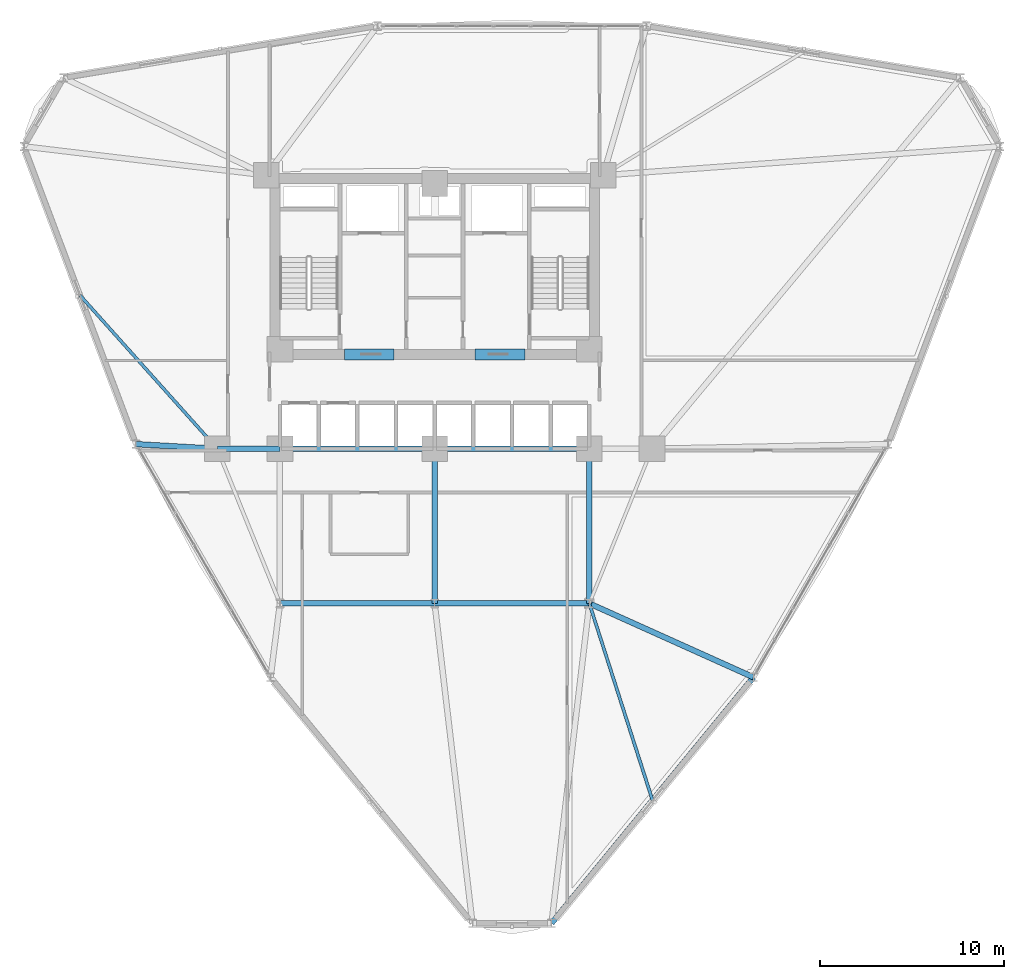
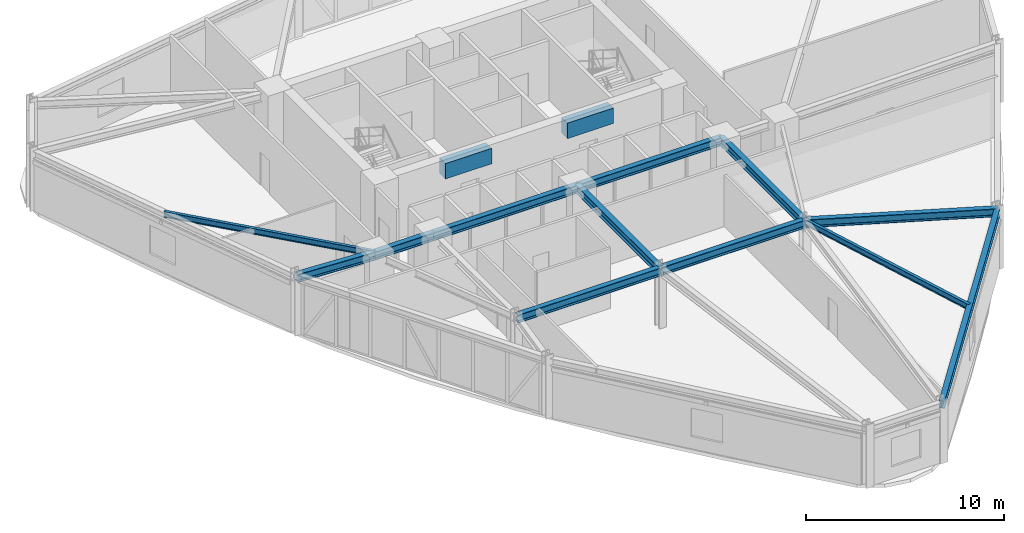
# One storey, part 5 of 20: 14 beams.
"""IFC4 building model written with IfcOpenShell, lengths in metres."""

from ifc_helpers import new_model, si_unit, derived_unit, direction, frame, origin, origin_2d, place, context, subcontext, project, spatial, rectangle, i_section, extrude, source, transform, mapped, material, material_profile, profile_set, type_object, element, save


model = new_model("IFC4")

# Units and contexts
model_context = context("Model", 3, precision=1e-05, world=origin(), true_north=direction((0.0, 1.0)))
body_context = subcontext(model_context, "Body", "Model", "MODEL_VIEW")
ifc_project = project(units=[si_unit("LENGTHUNIT", "METRE"), si_unit("AREAUNIT", "SQUARE_METRE"), si_unit("VOLUMEUNIT", "CUBIC_METRE"), si_unit("PLANEANGLEUNIT", "RADIAN"), si_unit("MASSUNIT", "GRAM", prefix="KILO"), derived_unit("THERMALTRANSMITTANCEUNIT", [(si_unit("POWERUNIT", "WATT"), 1), (si_unit("LENGTHUNIT", "METRE"), -2), (si_unit("THERMODYNAMICTEMPERATUREUNIT", "KELVIN"), -1)])], contexts=[model_context])

# Site, building, storey
site_placement = place(None, origin())
site = spatial("IfcSite", under=ifc_project, at=site_placement, CompositionType="ELEMENT")
building_placement = place(site_placement, origin())
building = spatial("IfcBuilding", under=site, at=building_placement, Name="Korsvarv Bourse and Concert Hall", CompositionType="ELEMENT")
storey_placement = place(building_placement, frame((0.0, 0.0, 87.300048828125)))
storey = spatial("IfcBuildingStorey", under=building, at=storey_placement, Name="L21", CompositionType="ELEMENT", Elevation=87.300048828125)

# Beams
ifc_material_1 = material(Name="Concrete C55/67", Category="concrete")
ifc_material_profile_1 = material_profile(ifc_material_1, rectangle(XDim=0.60009765625, YDim=0.949951171875, at=origin_2d()), Name="RC-BM 600x950")
ifc_profile_set_1 = profile_set([ifc_material_profile_1], Name="Concrete C55/67")
beam_type_1 = type_object("IfcBeamType", Name="BM-CPL", PredefinedType="LINTEL", material=ifc_profile_set_1)
shared_shape_1 = source(origin(), body_context, "Body", "SweptSolid", [
    extrude(rectangle(XDim=0.60009765625, YDim=0.949951171875, at=origin_2d()), origin(), (0.0, 0.0, 1.0), 2.699951171875),
])
for number, where, z_axis, x_axis, name in (
    (1, (31.10009765625, 37.52490234375, 3.204833984375), (1.0, 0.0, 0.0), (0.0, 1.0, 0.0), "L21 Core Coupling Beam West"),
    (2, (38.199951171875, 37.52490234375, 3.204833984375), (1.0, 0.0, 0.0), (0.0, 1.0, 0.0), "L21 Core Coupling Beam East"),
):
    element("IfcBeam", number, at=place(storey_placement, frame(where, z_axis=z_axis, x_axis=x_axis)), inside=storey, type_object=beam_type_1, Name=name, PredefinedType="LINTEL", context=body_context, shape_type="MappedRepresentation", body=[
        mapped(shared_shape_1, transform((0.0, 0.0, 0.0), scale=1.0)),
    ])
ifc_material_2 = material(Name="Steel S355", Category="steel")
ifc_material_profile_2 = material_profile(ifc_material_2, i_section(OverallWidth=0.300048828125, OverallDepth=0.5, WebThickness=0.014404296875, FlangeThickness=0.028076171875, FilletRadius=0.02392578125, at=origin_2d()), Name="HEB 500")
ifc_profile_set_2 = profile_set([ifc_material_profile_2], Name="Steel S355")
beam_type_2 = type_object("IfcBeamType", Name="BM-HEB500", PredefinedType="BEAM", material=ifc_profile_set_2)
shared_shape_2 = source(origin(), body_context, "Body", "SweptSolid", [
    extrude(i_section(OverallWidth=0.300048828125, OverallDepth=0.5, WebThickness=0.014404296875, FlangeThickness=0.028076171875, FilletRadius=0.02392578125, at=origin_2d()), origin(), (0.0, 0.0, 1.0), 3.400146484375),
])
beam_1_placement = place(storey_placement, frame((24.199951171875, 32.39990234375, 3.429931640625), z_axis=(1.0, 0.0, 0.0), x_axis=(0.0, 1.0, 0.0)))
element("IfcBeam", 3, at=beam_1_placement, inside=storey, type_object=beam_type_2, Name="L21 beam B-07", PredefinedType="BEAM", context=body_context, shape_type="MappedRepresentation", body=[
    mapped(shared_shape_2, transform((0.0, 0.0, 0.0), scale=1.0)),
])
shared_shape_3 = source(origin(), body_context, "Body", "SweptSolid", [
    extrude(i_section(OverallWidth=0.300048828125, OverallDepth=0.5, WebThickness=0.014404296875, FlangeThickness=0.028076171875, FilletRadius=0.02392578125, at=origin_2d()), origin(), (0.0, 0.0, 1.0), 8.39990234375),
])
for number, where, z_axis, x_axis, name in (
    (4, (27.60009765625, 32.39990234375, 3.429931640625), (1.0, 0.0, 0.0), (0.0, 1.0, 0.0), "L21 beam B-07"),
    (5, (36.0, 32.39990234375, 3.429931640625), (1.0, 0.0, 0.0), (0.0, 1.0, 0.0), "L21 beam B-07"),
    (6, (27.60009765625, 24.0, 3.429931640625), (1.0, 0.0, 0.0), (0.0, 1.0, 0.0), "L21 beam B-07"),
    (7, (36.0, 24.0, 3.429931640625), (1.0, 0.0, 0.0), (0.0, 1.0, 0.0), "L21 beam B-07"),
    (8, (36.0, 24.0, 3.429931640625), (0.0, 1.0, 0.0), (-1.0, 0.0, 0.0), "L21 beam B-07"),
    (9, (44.39990234375, 24.0, 3.429931640625), (0.0, 1.0, 0.0), (-1.0, 0.0, 0.0), "L21 beam B-07"),
):
    element("IfcBeam", number, at=place(storey_placement, frame(where, z_axis=z_axis, x_axis=x_axis)), inside=storey, type_object=beam_type_2, Name=name, PredefinedType="BEAM", context=body_context, shape_type="MappedRepresentation", body=[
        mapped(shared_shape_3, transform((0.0, 0.0, 0.0), scale=1.0)),
    ])
ifc_material_profile_3 = material_profile(ifc_material_2, i_section(OverallWidth=0.300048828125, OverallDepth=0.449951171875, WebThickness=0.013916015625, FlangeThickness=0.02587890625, FilletRadius=0.02099609375, at=origin_2d()), Name="HEB 450")
ifc_profile_set_3 = profile_set([ifc_material_profile_3], Name="Steel S355")
beam_type_3 = type_object("IfcBeamType", Name="BM-HEB450", PredefinedType="SPANDREL", material=ifc_profile_set_3)
shared_shape_4 = source(origin(), body_context, "Body", "SweptSolid", [
    extrude(i_section(OverallWidth=0.300048828125, OverallDepth=0.449951171875, WebThickness=0.013916015625, FlangeThickness=0.02587890625, FilletRadius=0.02099609375, at=origin_2d()), origin(), (0.0, 0.0, 1.0), 17.27587890625),
])
beam_2_placement = place(storey_placement, frame((42.3505859375, 6.63623046875, 3.454833984375), z_axis=(0.634361438059, 0.773036587688, 0.0), x_axis=(-0.773036587688, 0.634361438059, 0.0)))
element("IfcBeam", 10, at=beam_2_placement, inside=storey, type_object=beam_type_3, Name="L21 beam B-08", PredefinedType="SPANDREL", context=body_context, shape_type="MappedRepresentation", body=[
    mapped(shared_shape_4, transform((0.0, 0.0, 0.0), scale=1.0)),
])
shared_shape_5 = source(origin(), body_context, "Body", "SweptSolid", [
    extrude(i_section(OverallWidth=0.300048828125, OverallDepth=0.5, WebThickness=0.014404296875, FlangeThickness=0.028076171875, FilletRadius=0.02392578125, at=origin_2d()), origin(), (0.0, 0.0, 1.0), 4.426025390625),
])
beam_3_placement = place(storey_placement, frame((19.781005859375, 32.65087890625, 3.429931640625), z_axis=(0.9983910226, -0.056704197306, 0.0), x_axis=(0.056704197306, 0.9983910226, 0.0)))
element("IfcBeam", 11, at=beam_3_placement, inside=storey, type_object=beam_type_2, Name="L21 beam B-07", PredefinedType="BEAM", context=body_context, shape_type="MappedRepresentation", body=[
    mapped(shared_shape_5, transform((0.0, 0.0, 0.0), scale=1.0)),
])
shared_shape_6 = source(origin(), body_context, "Body", "SweptSolid", [
    extrude(i_section(OverallWidth=0.300048828125, OverallDepth=0.5, WebThickness=0.014404296875, FlangeThickness=0.028076171875, FilletRadius=0.02392578125, at=origin_2d()), origin(), (0.0, 0.0, 1.0), 9.770263671875),
])
beam_4_placement = place(storey_placement, frame((53.309814453125, 19.9912109375, 3.429931640625), z_axis=(-0.911947218973, 0.410307530772, 0.0), x_axis=(-0.410307530772, -0.911947218973, 0.0)))
element("IfcBeam", 12, at=beam_4_placement, inside=storey, type_object=beam_type_2, Name="L21 beam B-07", PredefinedType="BEAM", context=body_context, shape_type="MappedRepresentation", body=[
    mapped(shared_shape_6, transform((0.0, 0.0, 0.0), scale=1.0)),
])
ifc_material_profile_4 = material_profile(ifc_material_2, i_section(OverallWidth=0.169921875, OverallDepth=0.360107421875, WebThickness=0.008056640625, FlangeThickness=0.0126953125, FilletRadius=0.01806640625, at=origin_2d()), Name="IPE 360")
ifc_profile_set_4 = profile_set([ifc_material_profile_4], Name="Steel S355")
beam_type_4 = type_object("IfcBeamType", Name="BM-IPE360", PredefinedType="JOIST", material=ifc_profile_set_4)
shared_shape_7 = source(origin(), body_context, "Body", "SweptSolid", [
    extrude(i_section(OverallWidth=0.169921875, OverallDepth=0.360107421875, WebThickness=0.008056640625, FlangeThickness=0.0126953125, FilletRadius=0.01806640625, at=origin_2d()), origin(), (0.0, 0.0, 1.0), 11.187255859375),
])
beam_5_placement = place(storey_placement, frame((16.738037109375, 40.735107421875, 3.5), z_axis=(0.666998325741, -0.745059214733, 0.0), x_axis=(0.745059214733, 0.666998325741, 0.0)))
element("IfcBeam", 13, at=beam_5_placement, inside=storey, type_object=beam_type_4, Name="L21 beam J-06", PredefinedType="JOIST", context=body_context, shape_type="MappedRepresentation", body=[
    mapped(shared_shape_7, transform((0.0, 0.0, 0.0), scale=1.0)),
])
shared_shape_8 = source(origin(), body_context, "Body", "SweptSolid", [
    extrude(i_section(OverallWidth=0.169921875, OverallDepth=0.360107421875, WebThickness=0.008056640625, FlangeThickness=0.0126953125, FilletRadius=0.01806640625, at=origin_2d()), origin(), (0.0, 0.0, 1.0), 11.223388671875),
])
beam_6_placement = place(storey_placement, frame((47.830078125, 13.313720703125, 3.5), z_axis=(-0.305629622863, 0.952150478458, 0.0), x_axis=(-0.952150478458, -0.305629622863, 0.0)))
element("IfcBeam", 14, at=beam_6_placement, inside=storey, type_object=beam_type_4, Name="L21 beam J-06", PredefinedType="JOIST", context=body_context, shape_type="MappedRepresentation", body=[
    mapped(shared_shape_8, transform((0.0, 0.0, 0.0), scale=1.0)),
])

save(model, "model.ifc")
